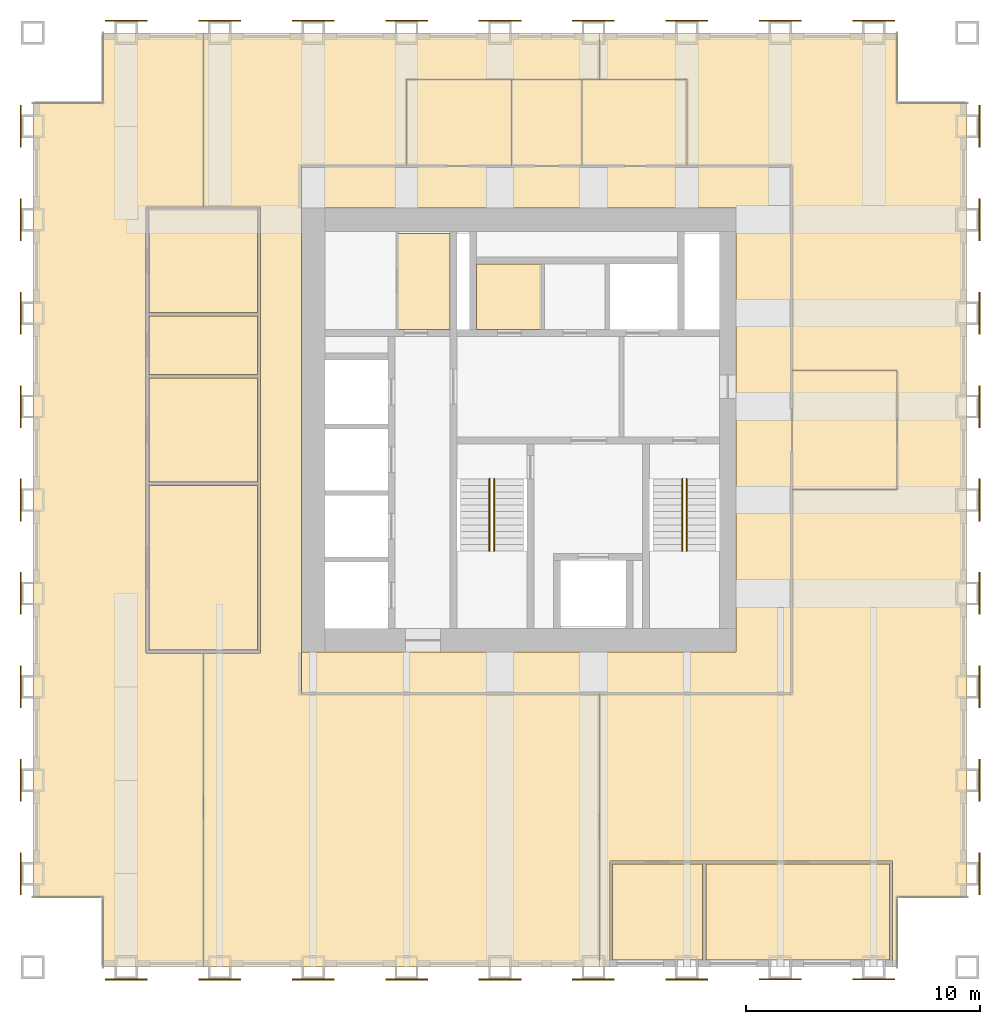
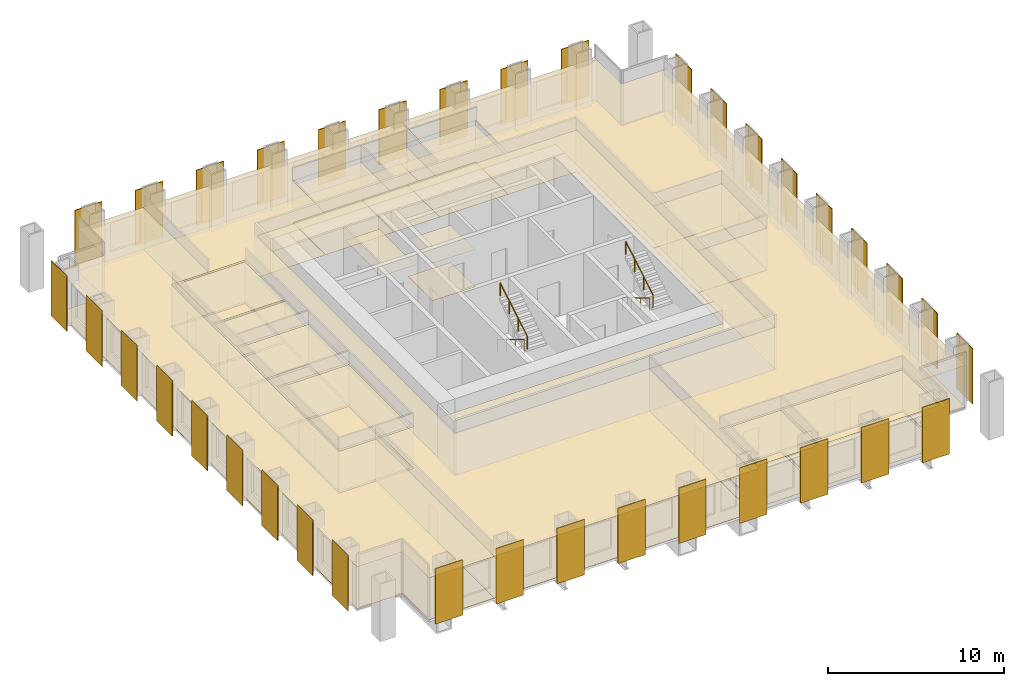
# One storey, part 10 of 10: 36 shading devices, 30 coverings, 4 railings.
"""IFC4 building model written with IfcOpenShell, lengths in metres."""

from ifc_helpers import new_model, si_unit, direction, frame, origin, origin_2d, place, context, subcontext, project, spatial, polyline, rectangle, circle, outline, extrude, material, layer, layer_set, type_object, element, save


model = new_model("IFC4")

# Units and contexts
model_context = context("Model", 3, precision=1e-05, world=origin(), true_north=direction((0.0, 1.0)))
body_context = subcontext(model_context, "Body", "Model", "MODEL_VIEW")
ifc_project = project(units=[si_unit("LENGTHUNIT", "METRE"), si_unit("AREAUNIT", "SQUARE_METRE"), si_unit("VOLUMEUNIT", "CUBIC_METRE"), si_unit("PLANEANGLEUNIT", "RADIAN"), si_unit("MASSUNIT", "GRAM", prefix="KILO")], contexts=[model_context])

# Site, building, storey
site_placement = place(None, origin())
site = spatial("IfcSite", under=ifc_project, at=site_placement, CompositionType="ELEMENT")
building_placement = place(site_placement, origin())
building = spatial("IfcBuilding", under=site, at=building_placement, Name="Rimbunsela Tower", CompositionType="ELEMENT")
storey_placement = place(building_placement, frame((0.0, 0.0, 274.199951171875)))
storey = spatial("IfcBuildingStorey", under=building, at=storey_placement, Name="L66", CompositionType="ELEMENT", Elevation=274.199951171875)

# Coverings
ifc_material_1 = material(Name="Nylon carpet tile", Category="textile")
ifc_layer_1 = layer(ifc_material_1, 0.010009765625)
ifc_layer_set_1 = layer_set([ifc_layer_1], Name="Carpet tile 10")
covering_type_1 = type_object("IfcCoveringType", Name="Carpet tile 10", PredefinedType="FLOORING", material=ifc_layer_set_1)
covering_1_placement = place(storey_placement, origin())
element("IfcCovering", 1, at=covering_1_placement, inside=storey, type_object=covering_type_1, Name="Floor finish Open office", PredefinedType="FLOORING", context=body_context, shape_type="SweptSolid", body=[
    extrude(outline(polyline([(30.699951171875, 8.550048828125), (30.699951171875, 4.0), (30.25, 4.0), (30.25, 15.699951171875), (38.5, 15.699951171875), (38.5, 24.449951171875), (43.0, 24.449951171875), (43.0, 29.550048828125), (38.5, 29.550048828125), (38.5, 38.300048828125), (34.0, 38.300048828125), (34.0, 42.0), (30.25, 42.0), (30.25, 44.0), (38.5, 44.0), (43.0, 44.0), (43.0, 41.0), (46.0, 41.0), (46.0, 7.0), (43.0, 7.0), (43.0, 4.0), (42.800048828125, 4.0), (42.800048828125, 8.550048828125), (38.5, 8.550048828125), (34.800048828125, 8.550048828125), (34.699951171875, 8.550048828125), (30.699951171875, 8.550048828125)])), origin(), (0.0, 0.0, 1.0), 0.010009765625),
])
covering_2_placement = place(storey_placement, origin())
element("IfcCovering", 2, at=covering_2_placement, inside=storey, type_object=covering_type_1, Name="Floor finish Open office", PredefinedType="FLOORING", context=body_context, shape_type="SweptSolid", body=[
    extrude(outline(polyline([(13.300048828125, 4.0), (9.0, 4.0), (9.0, 7.0), (6.0, 7.0), (6.0, 41.0), (9.0, 41.0), (9.0, 44.0), (13.300048828125, 44.0), (13.300048828125, 36.550048828125), (10.85009765625, 36.550048828125), (10.85009765625, 32.0), (10.85009765625, 31.89990234375), (10.85009765625, 29.35009765625), (10.85009765625, 29.25), (10.85009765625, 24.75), (10.85009765625, 24.64990234375), (10.85009765625, 17.449951171875), (13.300048828125, 17.449951171875), (13.300048828125, 4.0)])), origin(), (0.0, 0.0, 1.0), 0.010009765625),
])
covering_3_placement = place(storey_placement, origin())
element("IfcCovering", 3, at=covering_3_placement, inside=storey, type_object=covering_type_1, Name="Floor finish Open office", PredefinedType="FLOORING", context=body_context, shape_type="SweptSolid", body=[
    extrude(outline(polyline([(30.25, 4.0), (17.5, 4.0), (13.300048828125, 4.0), (13.300048828125, 17.449951171875), (15.75, 17.449951171875), (15.75, 24.64990234375), (15.75, 24.75), (15.75, 29.25), (15.75, 29.35009765625), (15.75, 31.89990234375), (15.75, 32.0), (15.75, 36.550048828125), (13.300048828125, 36.550048828125), (13.300048828125, 44.0), (17.5, 44.0), (30.25, 44.0), (30.25, 42.0), (22.0, 42.0), (22.0, 38.300048828125), (17.5, 38.300048828125), (17.5, 36.5), (17.5, 17.5), (17.5, 15.699951171875), (30.25, 15.699951171875), (30.25, 4.0)])), origin(), (0.0, 0.0, 1.0), 0.010009765625),
])
covering_4_placement = place(storey_placement, origin())
element("IfcCovering", 4, at=covering_4_placement, inside=storey, type_object=covering_type_1, Name="Floor finish Reception", PredefinedType="FLOORING", context=body_context, shape_type="SweptSolid", body=[
    extrude(outline(polyline([(43.0, 24.449951171875), (43.0, 29.550048828125), (38.5, 29.550048828125), (38.5, 24.449951171875), (43.0, 24.449951171875)])), origin(), (0.0, 0.0, 1.0), 0.010009765625),
])
covering_5_placement = place(storey_placement, origin())
element("IfcCovering", 5, at=covering_5_placement, inside=storey, type_object=covering_type_1, Name="Floor finish Executive office", PredefinedType="FLOORING", context=body_context, shape_type="SweptSolid", body=[
    extrude(outline(polyline([(34.675048828125, 4.300048828125), (34.675048828125, 8.425048828125), (30.824951171875, 8.425048828125), (30.824951171875, 4.300048828125), (34.675048828125, 4.300048828125)])), origin(), (0.0, 0.0, 1.0), 0.010009765625),
])
covering_6_placement = place(storey_placement, origin())
element("IfcCovering", 6, at=covering_6_placement, inside=storey, type_object=covering_type_1, Name="Floor finish Executive office", PredefinedType="FLOORING", context=body_context, shape_type="SweptSolid", body=[
    extrude(outline(polyline([(42.675048828125, 4.300048828125), (42.675048828125, 8.425048828125), (34.824951171875, 8.425048828125), (34.824951171875, 4.300048828125), (42.675048828125, 4.300048828125)])), origin(), (0.0, 0.0, 1.0), 0.010009765625),
])
covering_7_placement = place(storey_placement, origin())
element("IfcCovering", 7, at=covering_7_placement, inside=storey, type_object=covering_type_1, Name="Floor finish Boardroom", PredefinedType="FLOORING", context=body_context, shape_type="SweptSolid", body=[
    extrude(outline(polyline([(15.625, 17.574951171875), (15.625, 24.625), (10.97509765625, 24.625), (10.97509765625, 17.574951171875), (15.625, 17.574951171875)])), origin(), (0.0, 0.0, 1.0), 0.010009765625),
])
covering_8_placement = place(storey_placement, origin())
element("IfcCovering", 8, at=covering_8_placement, inside=storey, type_object=covering_type_1, Name="Floor finish Pantry", PredefinedType="FLOORING", context=body_context, shape_type="SweptSolid", body=[
    extrude(outline(polyline([(15.625, 24.77490234375), (15.625, 29.22509765625), (10.97509765625, 29.22509765625), (10.97509765625, 24.77490234375), (15.625, 24.77490234375)])), origin(), (0.0, 0.0, 1.0), 0.010009765625),
])
covering_9_placement = place(storey_placement, origin())
element("IfcCovering", 9, at=covering_9_placement, inside=storey, type_object=covering_type_1, Name="Floor finish Print and copy room", PredefinedType="FLOORING", context=body_context, shape_type="SweptSolid", body=[
    extrude(outline(polyline([(15.625, 29.375), (15.625, 31.875), (10.97509765625, 31.875), (10.97509765625, 29.375), (15.625, 29.375)])), origin(), (0.0, 0.0, 1.0), 0.010009765625),
])
covering_10_placement = place(storey_placement, origin())
element("IfcCovering", 10, at=covering_10_placement, inside=storey, type_object=covering_type_1, Name="Floor finish Office", PredefinedType="FLOORING", context=body_context, shape_type="SweptSolid", body=[
    extrude(outline(polyline([(15.625, 32.02490234375), (15.625, 36.425048828125), (10.97509765625, 36.425048828125), (10.97509765625, 32.02490234375), (15.625, 32.02490234375)])), origin(), (0.0, 0.0, 1.0), 0.010009765625),
])
ifc_material_2 = material(Name="Mineral fibre ceiling tile", Category="gypsum")
ifc_layer_2 = layer(ifc_material_2, 0.02001953125)
ifc_layer_set_2 = layer_set([ifc_layer_2], Name="Ceiling 600 grid")
covering_type_2 = type_object("IfcCoveringType", Name="Ceiling 600 grid", PredefinedType="CEILING", material=ifc_layer_set_2)
covering_11_placement = place(storey_placement, frame((0.0, 0.0, 2.900146484375)))
element("IfcCovering", 11, at=covering_11_placement, inside=storey, type_object=covering_type_2, Name="Ceiling Staff pantry", PredefinedType="CEILING", context=body_context, shape_type="SweptSolid", body=[
    extrude(outline(polyline([(23.85009765625, 31.300048828125), (23.85009765625, 35.39990234375), (21.60009765625, 35.39990234375), (21.60009765625, 31.300048828125), (23.85009765625, 31.300048828125)])), origin(), (0.0, 0.0, 1.0), 0.02001953125),
])
covering_12_placement = place(storey_placement, frame((0.0, 0.0, 2.900146484375)))
element("IfcCovering", 12, at=covering_12_placement, inside=storey, type_object=covering_type_2, Name="Ceiling U-shaped corridor", PredefinedType="CEILING", context=body_context, shape_type="SweptSolid", body=[
    extrude(outline(polyline([(38.5, 38.300048828125), (38.5, 15.699951171875), (17.5, 15.699951171875), (17.5, 17.5), (36.10009765625, 17.5), (36.10009765625, 36.5), (17.5, 36.5), (17.5, 38.300048828125), (38.5, 38.300048828125)])), origin(), (0.0, 0.0, 1.0), 0.02001953125),
])
covering_13_placement = place(storey_placement, frame((0.0, 0.0, 2.900146484375)))
element("IfcCovering", 13, at=covering_13_placement, inside=storey, type_object=covering_type_2, Name="Ceiling Open office", PredefinedType="CEILING", context=body_context, shape_type="SweptSolid", body=[
    extrude(outline(polyline([(30.699951171875, 8.550048828125), (30.699951171875, 4.0), (30.25, 4.0), (30.25, 15.699951171875), (38.5, 15.699951171875), (38.5, 24.449951171875), (43.0, 24.449951171875), (43.0, 29.550048828125), (38.5, 29.550048828125), (38.5, 38.300048828125), (34.0, 38.300048828125), (34.0, 42.0), (30.25, 42.0), (30.25, 44.0), (38.5, 44.0), (43.0, 44.0), (43.0, 41.0), (46.0, 41.0), (46.0, 7.0), (43.0, 7.0), (43.0, 4.0), (42.800048828125, 4.0), (42.800048828125, 8.550048828125), (38.5, 8.550048828125), (34.800048828125, 8.550048828125), (34.699951171875, 8.550048828125), (30.699951171875, 8.550048828125)])), origin(), (0.0, 0.0, 1.0), 0.02001953125),
])
covering_14_placement = place(storey_placement, frame((0.0, 0.0, 2.900146484375)))
element("IfcCovering", 14, at=covering_14_placement, inside=storey, type_object=covering_type_2, Name="Ceiling Open office", PredefinedType="CEILING", context=body_context, shape_type="SweptSolid", body=[
    extrude(outline(polyline([(13.300048828125, 4.0), (9.0, 4.0), (9.0, 7.0), (6.0, 7.0), (6.0, 41.0), (9.0, 41.0), (9.0, 44.0), (13.300048828125, 44.0), (13.300048828125, 36.550048828125), (10.85009765625, 36.550048828125), (10.85009765625, 32.0), (10.85009765625, 31.89990234375), (10.85009765625, 29.35009765625), (10.85009765625, 29.25), (10.85009765625, 24.75), (10.85009765625, 24.64990234375), (10.85009765625, 17.449951171875), (13.300048828125, 17.449951171875), (13.300048828125, 4.0)])), origin(), (0.0, 0.0, 1.0), 0.02001953125),
])
covering_15_placement = place(storey_placement, frame((0.0, 0.0, 2.900146484375)))
element("IfcCovering", 15, at=covering_15_placement, inside=storey, type_object=covering_type_2, Name="Ceiling Open office", PredefinedType="CEILING", context=body_context, shape_type="SweptSolid", body=[
    extrude(outline(polyline([(30.25, 4.0), (17.5, 4.0), (13.300048828125, 4.0), (13.300048828125, 17.449951171875), (15.75, 17.449951171875), (15.75, 24.64990234375), (15.75, 24.75), (15.75, 29.25), (15.75, 29.35009765625), (15.75, 31.89990234375), (15.75, 32.0), (15.75, 36.550048828125), (13.300048828125, 36.550048828125), (13.300048828125, 44.0), (17.5, 44.0), (30.25, 44.0), (30.25, 42.0), (22.0, 42.0), (22.0, 38.300048828125), (17.5, 38.300048828125), (17.5, 36.5), (17.5, 17.5), (17.5, 15.699951171875), (30.25, 15.699951171875), (30.25, 4.0)])), origin(), (0.0, 0.0, 1.0), 0.02001953125),
])
covering_16_placement = place(storey_placement, frame((0.0, 0.0, 2.900146484375)))
element("IfcCovering", 16, at=covering_16_placement, inside=storey, type_object=covering_type_2, Name="Ceiling Reception", PredefinedType="CEILING", context=body_context, shape_type="SweptSolid", body=[
    extrude(outline(polyline([(43.0, 24.449951171875), (43.0, 29.550048828125), (38.5, 29.550048828125), (38.5, 24.449951171875), (43.0, 24.449951171875)])), origin(), (0.0, 0.0, 1.0), 0.02001953125),
])
covering_17_placement = place(storey_placement, frame((0.0, 0.0, 2.900146484375)))
element("IfcCovering", 17, at=covering_17_placement, inside=storey, type_object=covering_type_2, Name="Ceiling Executive office", PredefinedType="CEILING", context=body_context, shape_type="SweptSolid", body=[
    extrude(outline(polyline([(34.675048828125, 4.300048828125), (34.675048828125, 8.425048828125), (30.824951171875, 8.425048828125), (30.824951171875, 4.300048828125), (34.675048828125, 4.300048828125)])), origin(), (0.0, 0.0, 1.0), 0.02001953125),
])
covering_18_placement = place(storey_placement, frame((0.0, 0.0, 2.900146484375)))
element("IfcCovering", 18, at=covering_18_placement, inside=storey, type_object=covering_type_2, Name="Ceiling Executive office", PredefinedType="CEILING", context=body_context, shape_type="SweptSolid", body=[
    extrude(outline(polyline([(42.675048828125, 4.300048828125), (42.675048828125, 8.425048828125), (34.824951171875, 8.425048828125), (34.824951171875, 4.300048828125), (42.675048828125, 4.300048828125)])), origin(), (0.0, 0.0, 1.0), 0.02001953125),
])
covering_19_placement = place(storey_placement, frame((0.0, 0.0, 2.900146484375)))
element("IfcCovering", 19, at=covering_19_placement, inside=storey, type_object=covering_type_2, Name="Ceiling Boardroom", PredefinedType="CEILING", context=body_context, shape_type="SweptSolid", body=[
    extrude(outline(polyline([(15.625, 17.574951171875), (15.625, 24.625), (10.97509765625, 24.625), (10.97509765625, 17.574951171875), (15.625, 17.574951171875)])), origin(), (0.0, 0.0, 1.0), 0.02001953125),
])
covering_20_placement = place(storey_placement, frame((0.0, 0.0, 2.900146484375)))
element("IfcCovering", 20, at=covering_20_placement, inside=storey, type_object=covering_type_2, Name="Ceiling Pantry", PredefinedType="CEILING", context=body_context, shape_type="SweptSolid", body=[
    extrude(outline(polyline([(15.625, 24.77490234375), (15.625, 29.22509765625), (10.97509765625, 29.22509765625), (10.97509765625, 24.77490234375), (15.625, 24.77490234375)])), origin(), (0.0, 0.0, 1.0), 0.02001953125),
])
covering_21_placement = place(storey_placement, frame((0.0, 0.0, 2.900146484375)))
element("IfcCovering", 21, at=covering_21_placement, inside=storey, type_object=covering_type_2, Name="Ceiling Print and copy room", PredefinedType="CEILING", context=body_context, shape_type="SweptSolid", body=[
    extrude(outline(polyline([(15.625, 29.375), (15.625, 31.875), (10.97509765625, 31.875), (10.97509765625, 29.375), (15.625, 29.375)])), origin(), (0.0, 0.0, 1.0), 0.02001953125),
])
covering_22_placement = place(storey_placement, frame((0.0, 0.0, 2.900146484375)))
element("IfcCovering", 22, at=covering_22_placement, inside=storey, type_object=covering_type_2, Name="Ceiling Office", PredefinedType="CEILING", context=body_context, shape_type="SweptSolid", body=[
    extrude(outline(polyline([(15.625, 32.02490234375), (15.625, 36.425048828125), (10.97509765625, 36.425048828125), (10.97509765625, 32.02490234375), (15.625, 32.02490234375)])), origin(), (0.0, 0.0, 1.0), 0.02001953125),
])
ifc_material_3 = material(Name="Moisture-resistant plasterboard ceiling", Category="gypsum")
ifc_layer_3 = layer(ifc_material_3, 0.012451171875)
ifc_layer_set_3 = layer_set([ifc_layer_3], Name="Ceiling moisture-resistant board")
covering_type_3 = type_object("IfcCoveringType", Name="Ceiling moisture-resistant board", PredefinedType="CEILING", material=ifc_layer_set_3)
covering_23_placement = place(storey_placement, frame((0.0, 0.0, 2.60009765625)))
element("IfcCovering", 23, at=covering_23_placement, inside=storey, type_object=covering_type_3, Name="Ceiling Staff WC", PredefinedType="CEILING", context=body_context, shape_type="SweptSolid", body=[
    extrude(outline(polyline([(27.800048828125, 31.300048828125), (27.800048828125, 34.10009765625), (25.0, 34.10009765625), (25.0, 31.300048828125), (27.800048828125, 31.300048828125)])), origin(), (0.0, 0.0, 1.0), 0.02001953125),
])
covering_24_placement = place(storey_placement, frame((0.0, 0.0, 2.60009765625)))
element("IfcCovering", 24, at=covering_24_placement, inside=storey, type_object=covering_type_3, Name="Ceiling Female WC", PredefinedType="CEILING", context=body_context, shape_type="SweptSolid", body=[
    extrude(outline(polyline([(26.5, 38.300048828125), (26.5, 42.0), (22.0, 42.0), (22.0, 38.300048828125), (26.5, 38.300048828125)])), origin(), (0.0, 0.0, 1.0), 0.02001953125),
])
covering_25_placement = place(storey_placement, frame((0.0, 0.0, 2.60009765625)))
element("IfcCovering", 25, at=covering_25_placement, inside=storey, type_object=covering_type_3, Name="Ceiling Accessible WC", PredefinedType="CEILING", context=body_context, shape_type="SweptSolid", body=[
    extrude(outline(polyline([(29.5, 38.300048828125), (29.5, 42.0), (26.5, 42.0), (26.5, 38.300048828125), (29.5, 38.300048828125)])), origin(), (0.0, 0.0, 1.0), 0.02001953125),
])
covering_26_placement = place(storey_placement, frame((0.0, 0.0, 2.60009765625)))
element("IfcCovering", 26, at=covering_26_placement, inside=storey, type_object=covering_type_3, Name="Ceiling Male WC", PredefinedType="CEILING", context=body_context, shape_type="SweptSolid", body=[
    extrude(outline(polyline([(34.0, 38.300048828125), (34.0, 42.0), (29.5, 42.0), (29.5, 38.300048828125), (34.0, 38.300048828125)])), origin(), (0.0, 0.0, 1.0), 0.02001953125),
])
ifc_material_4 = material(Name="Porcelain floor tile in adhesive bed", Category="ceramic")
ifc_layer_4 = layer(ifc_material_4, 0.02001953125)
ifc_layer_set_4 = layer_set([ifc_layer_4], Name="Porcelain tile 20")
covering_type_4 = type_object("IfcCoveringType", Name="Porcelain tile 20", PredefinedType="FLOORING", material=ifc_layer_set_4)
covering_27_placement = place(storey_placement, origin())
element("IfcCovering", 27, at=covering_27_placement, inside=storey, type_object=covering_type_4, Name="Floor finish Staff WC", PredefinedType="FLOORING", context=body_context, shape_type="SweptSolid", body=[
    extrude(outline(polyline([(27.800048828125, 31.300048828125), (27.800048828125, 34.10009765625), (25.0, 34.10009765625), (25.0, 31.300048828125), (27.800048828125, 31.300048828125)])), origin(), (0.0, 0.0, 1.0), 0.02001953125),
])
covering_28_placement = place(storey_placement, origin())
element("IfcCovering", 28, at=covering_28_placement, inside=storey, type_object=covering_type_4, Name="Floor finish Female WC", PredefinedType="FLOORING", context=body_context, shape_type="SweptSolid", body=[
    extrude(outline(polyline([(26.5, 38.300048828125), (26.5, 42.0), (22.0, 42.0), (22.0, 38.300048828125), (26.5, 38.300048828125)])), origin(), (0.0, 0.0, 1.0), 0.02001953125),
])
covering_29_placement = place(storey_placement, origin())
element("IfcCovering", 29, at=covering_29_placement, inside=storey, type_object=covering_type_4, Name="Floor finish Accessible WC", PredefinedType="FLOORING", context=body_context, shape_type="SweptSolid", body=[
    extrude(outline(polyline([(29.5, 38.300048828125), (29.5, 42.0), (26.5, 42.0), (26.5, 38.300048828125), (29.5, 38.300048828125)])), origin(), (0.0, 0.0, 1.0), 0.02001953125),
])
covering_30_placement = place(storey_placement, origin())
element("IfcCovering", 30, at=covering_30_placement, inside=storey, type_object=covering_type_4, Name="Floor finish Male WC", PredefinedType="FLOORING", context=body_context, shape_type="SweptSolid", body=[
    extrude(outline(polyline([(34.0, 38.300048828125), (34.0, 42.0), (29.5, 42.0), (29.5, 38.300048828125), (34.0, 38.300048828125)])), origin(), (0.0, 0.0, 1.0), 0.02001953125),
])

# Shading devices
ifc_material_5 = material(Name="Perforated aluminium, 35 % open area", Category="aluminium")
ifc_layer_5 = layer(ifc_material_5, 0.050048828125)
ifc_layer_set_5 = layer_set([ifc_layer_5], Name="Solar screen panel 1800")
shading_device_type = type_object("IfcShadingDeviceType", Name="Solar screen panel 1800", PredefinedType="USERDEFINED", material=ifc_layer_set_5)
for number, where, z_axis, x_axis, name in (
    (31, (10.0, 3.47509765625, 0.0), (0.0, 0.0, 1.0), (1.0, 0.0, 0.0), "Solar screen S L66"),
    (32, (14.0, 3.47509765625, 0.0), (0.0, 0.0, 1.0), (1.0, 0.0, 0.0), "Solar screen S L66"),
    (33, (18.0, 3.47509765625, 0.0), (0.0, 0.0, 1.0), (1.0, 0.0, 0.0), "Solar screen S L66"),
    (34, (22.0, 3.47509765625, 0.0), (0.0, 0.0, 1.0), (1.0, 0.0, 0.0), "Solar screen S L66"),
    (35, (26.0, 3.47509765625, 0.0), (0.0, 0.0, 1.0), (1.0, 0.0, 0.0), "Solar screen S L66"),
    (36, (30.0, 3.47509765625, 0.0), (0.0, 0.0, 1.0), (1.0, 0.0, 0.0), "Solar screen S L66"),
    (37, (34.0, 3.47509765625, 0.0), (0.0, 0.0, 1.0), (1.0, 0.0, 0.0), "Solar screen S L66"),
    (38, (38.0, 3.47509765625, 0.0), (0.0, 0.0, 1.0), (1.0, 0.0, 0.0), "Solar screen S L66"),
    (39, (42.0, 3.47509765625, 0.0), (0.0, 0.0, 1.0), (1.0, 0.0, 0.0), "Solar screen S L66"),
    (40, (46.52490234375, 8.0, 0.0), (0.0, 0.0, 1.0), (0.0, 1.0, 0.0), "Solar screen E L66"),
    (41, (46.52490234375, 12.0, 0.0), (0.0, 0.0, 1.0), (0.0, 1.0, 0.0), "Solar screen E L66"),
    (42, (46.52490234375, 16.0, 0.0), (0.0, 0.0, 1.0), (0.0, 1.0, 0.0), "Solar screen E L66"),
    (43, (46.52490234375, 20.0, 0.0), (0.0, 0.0, 1.0), (0.0, 1.0, 0.0), "Solar screen E L66"),
    (44, (46.52490234375, 24.0, 0.0), (0.0, 0.0, 1.0), (0.0, 1.0, 0.0), "Solar screen E L66"),
    (45, (46.52490234375, 28.0, 0.0), (0.0, 0.0, 1.0), (0.0, 1.0, 0.0), "Solar screen E L66"),
    (46, (46.52490234375, 32.0, 0.0), (0.0, 0.0, 1.0), (0.0, 1.0, 0.0), "Solar screen E L66"),
    (47, (46.52490234375, 36.0, 0.0), (0.0, 0.0, 1.0), (0.0, 1.0, 0.0), "Solar screen E L66"),
    (48, (46.52490234375, 40.0, 0.0), (0.0, 0.0, 1.0), (0.0, 1.0, 0.0), "Solar screen E L66"),
    (49, (10.0, 44.52490234375, 0.0), (0.0, 0.0, 1.0), (1.0, 0.0, 0.0), "Solar screen N L66"),
    (50, (14.0, 44.52490234375, 0.0), (0.0, 0.0, 1.0), (1.0, 0.0, 0.0), "Solar screen N L66"),
    (51, (18.0, 44.52490234375, 0.0), (0.0, 0.0, 1.0), (1.0, 0.0, 0.0), "Solar screen N L66"),
    (52, (22.0, 44.52490234375, 0.0), (0.0, 0.0, 1.0), (1.0, 0.0, 0.0), "Solar screen N L66"),
    (53, (26.0, 44.52490234375, 0.0), (0.0, 0.0, 1.0), (1.0, 0.0, 0.0), "Solar screen N L66"),
    (54, (30.0, 44.52490234375, 0.0), (0.0, 0.0, 1.0), (1.0, 0.0, 0.0), "Solar screen N L66"),
    (55, (34.0, 44.52490234375, 0.0), (0.0, 0.0, 1.0), (1.0, 0.0, 0.0), "Solar screen N L66"),
    (56, (38.0, 44.52490234375, 0.0), (0.0, 0.0, 1.0), (1.0, 0.0, 0.0), "Solar screen N L66"),
    (57, (42.0, 44.52490234375, 0.0), (0.0, 0.0, 1.0), (1.0, 0.0, 0.0), "Solar screen N L66"),
    (58, (5.47509765625, 8.0, 0.0), (0.0, 0.0, 1.0), (0.0, 1.0, 0.0), "Solar screen W L66"),
    (59, (5.47509765625, 12.0, 0.0), (0.0, 0.0, 1.0), (0.0, 1.0, 0.0), "Solar screen W L66"),
    (60, (5.47509765625, 16.0, 0.0), (0.0, 0.0, 1.0), (0.0, 1.0, 0.0), "Solar screen W L66"),
    (61, (5.47509765625, 20.0, 0.0), (0.0, 0.0, 1.0), (0.0, 1.0, 0.0), "Solar screen W L66"),
    (62, (5.47509765625, 24.0, 0.0), (0.0, 0.0, 1.0), (0.0, 1.0, 0.0), "Solar screen W L66"),
    (63, (5.47509765625, 28.0, 0.0), (0.0, 0.0, 1.0), (0.0, 1.0, 0.0), "Solar screen W L66"),
    (64, (5.47509765625, 32.0, 0.0), (0.0, 0.0, 1.0), (0.0, 1.0, 0.0), "Solar screen W L66"),
    (65, (5.47509765625, 36.0, 0.0), (0.0, 0.0, 1.0), (0.0, 1.0, 0.0), "Solar screen W L66"),
    (66, (5.47509765625, 40.0, 0.0), (0.0, 0.0, 1.0), (0.0, 1.0, 0.0), "Solar screen W L66"),
):
    element("IfcShadingDevice", number, at=place(storey_placement, frame(where, z_axis=z_axis, x_axis=x_axis)), inside=storey, type_object=shading_device_type, Name=name, ObjectType="SCREEN", PredefinedType="USERDEFINED", context=body_context, shape_type="SweptSolid", body=[
        extrude(rectangle(XDim=1.800048828125, YDim=0.050048828125, at=origin_2d()), origin(), (0.0, 0.0, 1.0), 3.85009765625),
    ])

# Railings
ifc_material_6 = material(Name="Stainless steel tube", Category="steel")
railing_type = type_object("IfcRailingType", Name="Stair handrail 900", PredefinedType="HANDRAIL", material=ifc_material_6)
railing_1_placement = place(storey_placement, frame((25.550048828125, 24.89990234375, 0.166748046875)))
element("IfcRailing", 67, at=railing_1_placement, inside=storey, type_object=railing_type, Name="Handrail ST-A flight 1", PredefinedType="HANDRAIL", context=body_context, shape_type="SweptSolid", body=[
    extrude(circle(Radius=0.02392578125, at=origin_2d()), frame((0.0, 0.0, 0.8759765625), z_axis=(0.0, -0.859290745958, 0.51148745235), x_axis=(1.0, 0.0, 0.0)), (0.0, 0.0, 1.0), 3.584228515625),
    extrude(circle(Radius=0.02099609375, at=origin_2d()), origin(), (0.0, 0.0, 1.0), 0.851806640625),
    extrude(circle(Radius=0.02099609375, at=origin_2d()), frame((0.0, -1.026611328125, 0.611083984375)), (0.0, 0.0, 1.0), 0.851806640625),
    extrude(circle(Radius=0.02099609375, at=origin_2d()), frame((0.0, -2.05322265625, 1.22216796875)), (0.0, 0.0, 1.0), 0.851806640625),
    extrude(circle(Radius=0.02099609375, at=origin_2d()), frame((0.0, -3.079833984375, 1.833251953125)), (0.0, 0.0, 1.0), 0.851806640625),
])
railing_2_placement = place(storey_placement, frame((25.75, 21.820068359375, 2.166748046875)))
element("IfcRailing", 68, at=railing_2_placement, inside=storey, type_object=railing_type, Name="Handrail ST-A flight 2", PredefinedType="HANDRAIL", context=body_context, shape_type="SweptSolid", body=[
    extrude(circle(Radius=0.02392578125, at=origin_2d()), frame((0.0, 0.0, 0.8759765625), z_axis=(0.0, 0.859290745958, 0.51148745235), x_axis=(-1.0, 0.0, 0.0)), (0.0, 0.0, 1.0), 3.584228515625),
    extrude(circle(Radius=0.02099609375, at=origin_2d()), origin(), (0.0, 0.0, 1.0), 0.851806640625),
    extrude(circle(Radius=0.02099609375, at=origin_2d()), frame((0.0, 1.026611328125, 0.611083984375)), (0.0, 0.0, 1.0), 0.851806640625),
    extrude(circle(Radius=0.02099609375, at=origin_2d()), frame((0.0, 2.05322265625, 1.22216796875)), (0.0, 0.0, 1.0), 0.851806640625),
    extrude(circle(Radius=0.02099609375, at=origin_2d()), frame((0.0, 3.079833984375, 1.833251953125)), (0.0, 0.0, 1.0), 0.851806640625),
])
railing_3_placement = place(storey_placement, frame((33.800048828125, 24.89990234375, 0.166748046875)))
element("IfcRailing", 69, at=railing_3_placement, inside=storey, type_object=railing_type, Name="Handrail ST-B flight 1", PredefinedType="HANDRAIL", context=body_context, shape_type="SweptSolid", body=[
    extrude(circle(Radius=0.02392578125, at=origin_2d()), frame((0.0, 0.0, 0.8759765625), z_axis=(0.0, -0.859290745958, 0.51148745235), x_axis=(1.0, 0.0, 0.0)), (0.0, 0.0, 1.0), 3.584228515625),
    extrude(circle(Radius=0.02099609375, at=origin_2d()), origin(), (0.0, 0.0, 1.0), 0.851806640625),
    extrude(circle(Radius=0.02099609375, at=origin_2d()), frame((0.0, -1.026611328125, 0.611083984375)), (0.0, 0.0, 1.0), 0.851806640625),
    extrude(circle(Radius=0.02099609375, at=origin_2d()), frame((0.0, -2.05322265625, 1.22216796875)), (0.0, 0.0, 1.0), 0.851806640625),
    extrude(circle(Radius=0.02099609375, at=origin_2d()), frame((0.0, -3.079833984375, 1.833251953125)), (0.0, 0.0, 1.0), 0.851806640625),
])
railing_4_placement = place(storey_placement, frame((34.0, 21.820068359375, 2.166748046875)))
element("IfcRailing", 70, at=railing_4_placement, inside=storey, type_object=railing_type, Name="Handrail ST-B flight 2", PredefinedType="HANDRAIL", context=body_context, shape_type="SweptSolid", body=[
    extrude(circle(Radius=0.02392578125, at=origin_2d()), frame((0.0, 0.0, 0.8759765625), z_axis=(0.0, 0.859290745958, 0.51148745235), x_axis=(-1.0, 0.0, 0.0)), (0.0, 0.0, 1.0), 3.584228515625),
    extrude(circle(Radius=0.02099609375, at=origin_2d()), origin(), (0.0, 0.0, 1.0), 0.851806640625),
    extrude(circle(Radius=0.02099609375, at=origin_2d()), frame((0.0, 1.026611328125, 0.611083984375)), (0.0, 0.0, 1.0), 0.851806640625),
    extrude(circle(Radius=0.02099609375, at=origin_2d()), frame((0.0, 2.05322265625, 1.22216796875)), (0.0, 0.0, 1.0), 0.851806640625),
    extrude(circle(Radius=0.02099609375, at=origin_2d()), frame((0.0, 3.079833984375, 1.833251953125)), (0.0, 0.0, 1.0), 0.851806640625),
])

save(model, "model.ifc")
